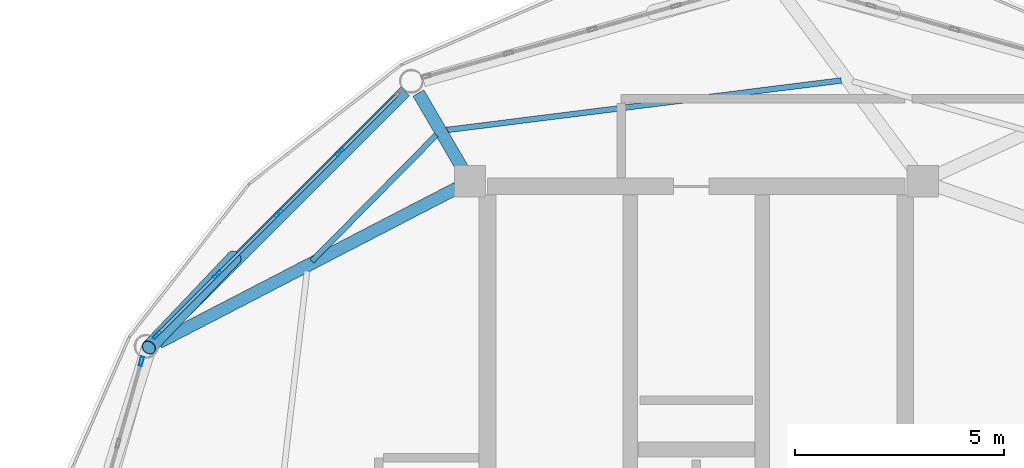
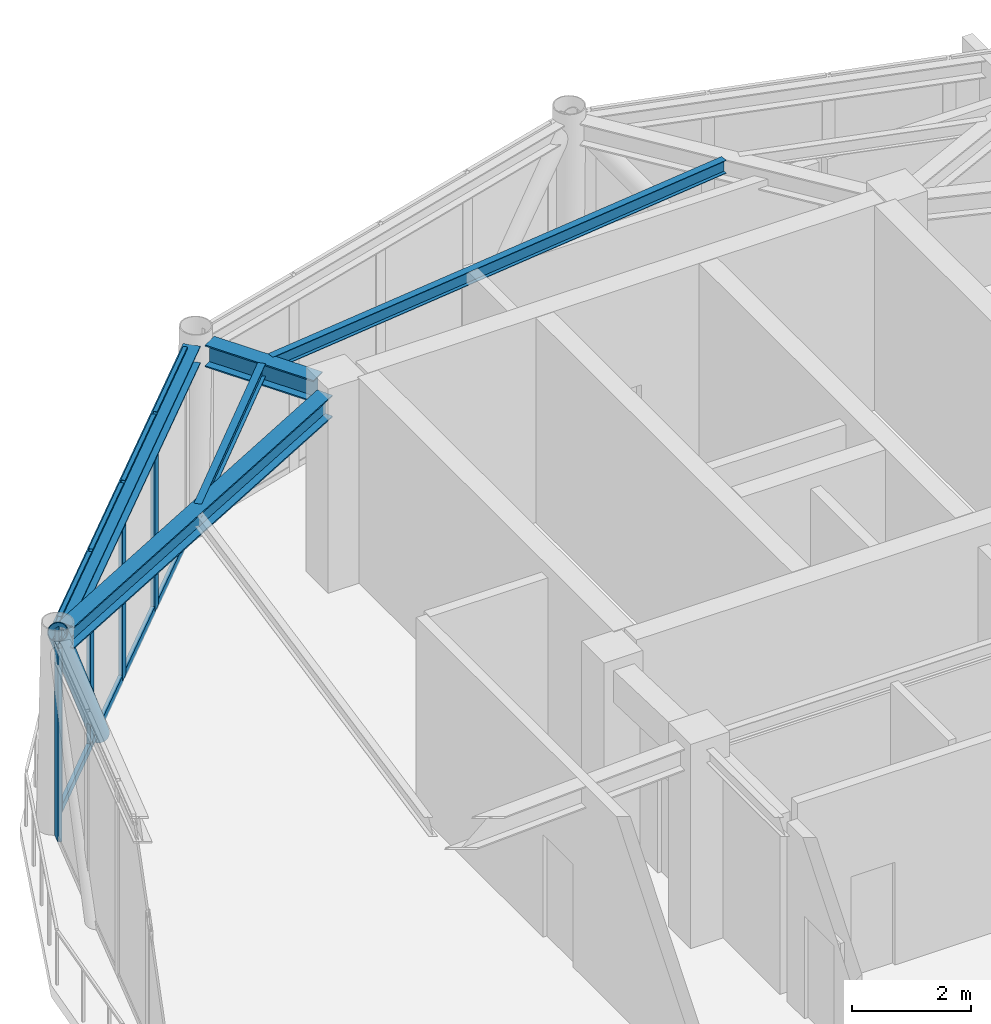
# One storey, part 9 of 20: 14 members, 5 beams, 2 elements without a shape of their own.
"""IFC4 building model written with IfcOpenShell, lengths in metres."""

import ifcopenshell
import ifcopenshell.guid

model = None  # the IFC model being written
_history = None  # IfcOwnerHistory: only IFC2X3 demands one
_inside = {}  # id of a spatial element -> (the spatial element, [elements in it])
_under = {}  # id of a project, library or spatial element -> (it, [spatial elements below it])
_declared = {}  # id of a project -> (the project, [libraries it declares])
_typed = {}  # id of a type object -> (the type object, [elements of that type])
_made_of = {}  # id of a material, layer set ... -> (it, [elements and type objects made of it])


def new_model(schema):
    """Start an empty IFC model of exactly this schema.

    Asked for "IFC4X3", IfcOpenShell would pick the latest addendum, in which some entities
    have other attributes; the version numbers below select the first issue.
    IFC2X3 requires an IfcOwnerHistory on every rooted entity: one is made here for all.
    """
    global model, _history
    if schema == "IFC4X3":
        model = ifcopenshell.file(schema_version=(4, 3, 0, 0))
    else:
        model = ifcopenshell.file(schema=schema)
    _inside.clear()
    _under.clear()
    _declared.clear()
    _typed.clear()
    _made_of.clear()
    _history = None
    if model.schema == "IFC2X3":
        org = make("IfcOrganization", Name="unknown")
        user = make(
            "IfcPersonAndOrganization",
            ThePerson=make("IfcPerson", FamilyName="unknown"),
            TheOrganization=org,
        )
        app = make(
            "IfcApplication",
            ApplicationDeveloper=org,
            Version="unknown",
            ApplicationFullName="unknown",
            ApplicationIdentifier="unknown",
        )
        _history = make(
            "IfcOwnerHistory",
            OwningUser=user,
            OwningApplication=app,
            ChangeAction="ADDED",
            CreationDate=0,
        )
    return model


def make(cls, **values):
    """One entity of the class cls with the attributes given. An attribute that is None is left unset."""
    return model.create_entity(
        cls, **{name: value for name, value in values.items() if value is not None}
    )


def rooted(cls, **values):
    """An entity with a GlobalId (a new one), such as an element, a storey or a relation."""
    return make(cls, GlobalId=ifcopenshell.guid.new(), OwnerHistory=_history, **values)


def si_unit(unit_type, name, prefix=None):
    """IfcSIUnit, for example si_unit("LENGTHUNIT", "METRE", prefix="MILLI")."""
    return make("IfcSIUnit", UnitType=unit_type, Prefix=prefix, Name=name)


def assignment(units):
    """IfcUnitAssignment: the units of a project."""
    return None if units is None else make("IfcUnitAssignment", Units=units)


def point(xyz):
    """IfcCartesianPoint."""
    return None if xyz is None else make("IfcCartesianPoint", Coordinates=xyz)


def direction(xyz):
    """IfcDirection."""
    return None if xyz is None else make("IfcDirection", DirectionRatios=xyz)


def frame(location, z_axis=None, x_axis=None):
    """IfcAxis2Placement3D, a coordinate frame: its origin and axes. An axis left out is left unset."""
    return make(
        "IfcAxis2Placement3D",
        Location=point(location),
        Axis=direction(z_axis),
        RefDirection=direction(x_axis),
    )


def frame_2d(location, x_axis=None):
    """IfcAxis2Placement2D, a coordinate frame in the plane: its origin and x axis."""
    return make(
        "IfcAxis2Placement2D", Location=point(location), RefDirection=direction(x_axis)
    )


def origin():
    """The frame at (0, 0, 0) with its axes left unset."""
    return frame((0.0, 0.0, 0.0))


def origin_2d():
    """The frame at (0, 0) in the plane with its x axis left unset."""
    return frame_2d((0.0, 0.0))


def place(relative_to, where):
    """IfcLocalPlacement: puts the frame where relative to a parent placement (None: the world)."""
    return make(
        "IfcLocalPlacement", PlacementRelTo=relative_to, RelativePlacement=where
    )


def context(
    kind, dimensions, precision=None, world=None, true_north=None, identifier=None
):
    """IfcGeometricRepresentationContext, for example the 3D "Model" context."""
    return make(
        "IfcGeometricRepresentationContext",
        ContextIdentifier=identifier,
        ContextType=kind,
        CoordinateSpaceDimension=dimensions,
        Precision=precision,
        WorldCoordinateSystem=world,
        TrueNorth=true_north,
    )


def subcontext(parent, identifier, kind, view, scale=None):
    """IfcGeometricRepresentationSubContext, for example "Body" below "Model"."""
    return make(
        "IfcGeometricRepresentationSubContext",
        ContextIdentifier=identifier,
        ContextType=kind,
        ParentContext=parent,
        TargetScale=scale,
        TargetView=view,
    )


def project(units=None, contexts=None):
    """IfcProject with its units and contexts."""
    return rooted(
        "IfcProject",
        Name="project",
        RepresentationContexts=contexts,
        UnitsInContext=assignment(units),
    )


def spatial(cls, under=None, at=None, **own):
    """A site, building, storey or space (cls), placed at a placement, below another one or the project."""
    s = rooted(cls, ObjectPlacement=at, **own)
    if under is not None:
        _under.setdefault(under.id(), (under, []))[1].append(s)
    return s


def profile(cls, at=None, kind="AREA", **sizes):
    """A parametric profile (cls). Its sizes go by their IFC names, for example OverallWidth=200.0."""
    return make(cls, ProfileType=kind, Position=at, **sizes)


def hollow_rectangle(**sizes):
    """IfcRectangleHollowProfileDef."""
    return profile("IfcRectangleHollowProfileDef", **sizes)


def hollow_circle(**sizes):
    """IfcCircleHollowProfileDef."""
    return profile("IfcCircleHollowProfileDef", **sizes)


def i_section(**sizes):
    """IfcIShapeProfileDef."""
    return profile("IfcIShapeProfileDef", **sizes)


def extrude(swept, where, along, depth):
    """IfcExtrudedAreaSolid: the profile swept, set in the frame where, extruded along a direction by depth."""
    return make(
        "IfcExtrudedAreaSolid",
        SweptArea=swept,
        Position=where,
        ExtrudedDirection=direction(along),
        Depth=depth,
    )


def shape(context_of_items, identifier, shape_type, items):
    """IfcShapeRepresentation: the items that make up one representation, for example the "Body"."""
    return make(
        "IfcShapeRepresentation",
        ContextOfItems=context_of_items,
        RepresentationIdentifier=identifier,
        RepresentationType=shape_type,
        Items=items,
    )


def material(Name=None, Category=None):
    """IfcMaterial."""
    return make("IfcMaterial", Name=Name, Category=Category)


def layer(
    of_material, thickness, ventilated=None, Name=None, Category=None, Priority=None
):
    """IfcMaterialLayer: one layer of a wall or slab, of a material (None: an air gap)."""
    return make(
        "IfcMaterialLayer",
        Material=of_material,
        LayerThickness=thickness,
        IsVentilated=ventilated,
        Name=Name,
        Category=Category,
        Priority=Priority,
    )


def layer_set(layers, Name=None):
    """IfcMaterialLayerSet."""
    return make("IfcMaterialLayerSet", MaterialLayers=layers, LayerSetName=Name)


def material_profile(
    of_material, cross_section, Name=None, Category=None, Priority=None
):
    """IfcMaterialProfile: a cross section and its material."""
    return make(
        "IfcMaterialProfile",
        Name=Name,
        Material=of_material,
        Profile=cross_section,
        Priority=Priority,
        Category=Category,
    )


def profile_set(profiles, Name=None, composite=None):
    """IfcMaterialProfileSet."""
    return make(
        "IfcMaterialProfileSet",
        Name=Name,
        MaterialProfiles=profiles,
        CompositeProfile=composite,
    )


def made_of(thing, what):
    """Note that an element or type object is made of a material, layer set ...; save() writes the relation."""
    if what is not None:
        _made_of.setdefault(what.id(), (what, []))[1].append(thing)
    return thing


def type_object(cls, material=None, **own):
    """A type object (cls), such as IfcWallType, which elements share."""
    return made_of(rooted(cls, **own), material)


def element(
    cls,
    number,
    at=None,
    inside=None,
    cuts=None,
    type_object=None,
    material=None,
    context=None,
    identifier="Body",
    shape_type=None,
    held_by="IfcProductDefinitionShape",
    body=None,
    shapes=None,
    **own,
):
    """One element of the class cls, such as IfcWall. Its Tag is "e" and its number.

    at: its placement. inside: the storey or other place that contains it. cuts: it is an
    opening in that element (IfcRelVoidsElement). A single representation is given by context,
    identifier, shape_type and body (its items); several are given by shapes. held_by: the class
    of the entity that holds the representations. save() writes the other relations.
    """
    e = rooted(cls, Tag="e%d" % number, ObjectPlacement=at, **own)
    if body is not None:
        shapes = [shape(context, identifier, shape_type, body)]
    if shapes is not None:
        e.Representation = make(held_by, Representations=shapes)
    if inside is not None:
        _inside.setdefault(inside.id(), (inside, []))[1].append(e)
    if cuts is not None:
        rooted(
            "IfcRelVoidsElement", RelatingBuildingElement=cuts, RelatedOpeningElement=e
        )
    if type_object is not None:
        _typed.setdefault(type_object.id(), (type_object, []))[1].append(e)
    return made_of(e, material)


def aggregate(whole, parts):
    """IfcRelAggregates: a whole, such as a stair, and the parts it consists of."""
    return rooted("IfcRelAggregates", RelatingObject=whole, RelatedObjects=parts)


def save(model, path):
    """Write the relations noted so far, then the file.

    IfcRelAggregates (storeys below a building ...), IfcRelContainedInSpatialStructure (elements
    in a storey), IfcRelDefinesByType, IfcRelAssociatesMaterial and IfcRelDeclares: one each for
    every whole, place, type object, material and project.
    """
    for whole, parts in _under.values():
        aggregate(whole, parts)
    for where, things in _inside.values():
        rooted(
            "IfcRelContainedInSpatialStructure",
            RelatedElements=things,
            RelatingStructure=where,
        )
    for kind, things in _typed.values():
        rooted("IfcRelDefinesByType", RelatedObjects=things, RelatingType=kind)
    for what, things in _made_of.values():
        rooted("IfcRelAssociatesMaterial", RelatedObjects=things, RelatingMaterial=what)
    for by, libraries in _declared.values():
        rooted("IfcRelDeclares", RelatingContext=by, RelatedDefinitions=libraries)
    model.write(path)


model = new_model("IFC4")

# Units and contexts
model_context = context("Model", 3, precision=1e-05, world=origin(), true_north=direction((0.0, 1.0)))
body_context = subcontext(model_context, "Body", "Model", "MODEL_VIEW")
ifc_project = project(units=[si_unit("LENGTHUNIT", "METRE"), si_unit("AREAUNIT", "SQUARE_METRE"), si_unit("VOLUMEUNIT", "CUBIC_METRE"), si_unit("PLANEANGLEUNIT", "RADIAN"), si_unit("MASSUNIT", "GRAM", prefix="KILO")], contexts=[model_context])

# Site, building, storey
site_placement = place(None, origin())
site = spatial("IfcSite", under=ifc_project, at=site_placement, CompositionType="ELEMENT")
building_placement = place(site_placement, origin())
building = spatial("IfcBuilding", under=site, at=building_placement, Name="Varnakorn Sky Granary", CompositionType="ELEMENT")
storey_placement = place(building_placement, frame((0.0, 0.0, 302.39990234375)))
storey = spatial("IfcBuildingStorey", under=building, at=storey_placement, Name="L77", CompositionType="ELEMENT", Elevation=302.39990234375)

# Beams
ifc_material_1 = material(Name="Steel S355JR", Category="steel")
ifc_material_profile_1 = material_profile(ifc_material_1, i_section(OverallWidth=0.300048828125, OverallDepth=0.449951171875, WebThickness=0.013916015625, FlangeThickness=0.02587890625, at=origin_2d()), Name="HE 450 B")
ifc_profile_set_1 = profile_set([ifc_material_profile_1], Name="Steel S355JR")
beam_type_1 = type_object("IfcBeamType", Name="BM-RAD-Z5", PredefinedType="BEAM", material=ifc_profile_set_1)
beam_1_placement = place(storey_placement, frame((-2.5986328125, 12.9267578125, 3.735107421875), z_axis=(-0.503530213694, 0.863977617706, 0.0), x_axis=(-0.863977617706, -0.503530213694, 0.0)))
element("IfcBeam", 1, at=beam_1_placement, inside=storey, type_object=beam_type_1, Name="Radial Floor Girder RG05 L77", PredefinedType="BEAM", context=body_context, shape_type="SweptSolid", body=[
    extrude(i_section(OverallWidth=0.300048828125, OverallDepth=0.449951171875, WebThickness=0.013916015625, FlangeThickness=0.02587890625, at=origin_2d()), origin(), (0.0, 0.0, 1.0), 2.093505859375),
])
beam_2_placement = place(storey_placement, frame((-2.7353515625, 12.456787109375, 3.735107421875), z_axis=(-0.888020100325, -0.459804633969, 0.0), x_axis=(0.459804633969, -0.888020100325, 0.0)))
element("IfcBeam", 2, at=beam_2_placement, inside=storey, type_object=beam_type_1, Name="Radial Floor Girder RG06 L77", PredefinedType="BEAM", context=body_context, shape_type="SweptSolid", body=[
    extrude(i_section(OverallWidth=0.300048828125, OverallDepth=0.449951171875, WebThickness=0.013916015625, FlangeThickness=0.02587890625, at=origin_2d()), origin(), (0.0, 0.0, 1.0), 8.037841796875),
])
ifc_material_profile_2 = material_profile(ifc_material_1, i_section(OverallWidth=0.135009765625, OverallDepth=0.27001953125, WebThickness=0.006591796875, FlangeThickness=0.01025390625, at=origin_2d()), Name="IPE 270")
ifc_profile_set_2 = profile_set([ifc_material_profile_2], Name="Steel S355JR")
beam_type_2 = type_object("IfcBeamType", Name="BM-SEC-Z5", PredefinedType="BEAM", material=ifc_profile_set_2)
beam_3_placement = place(storey_placement, frame((6.468994140625, 15.035888671875, 3.8251953125), z_axis=(-0.992209543581, -0.12458018152, 0.0), x_axis=(0.12458018152, -0.992209543581, 0.0)))
element("IfcBeam", 3, at=beam_3_placement, inside=storey, type_object=beam_type_2, Name="Secondary Floor Chord Beam MSB04 L77", PredefinedType="BEAM", context=body_context, shape_type="SweptSolid", body=[
    extrude(i_section(OverallWidth=0.135009765625, OverallDepth=0.27001953125, WebThickness=0.006591796875, FlangeThickness=0.01025390625, at=origin_2d()), origin(), (0.0, 0.0, 1.0), 9.530029296875),
])
beam_4_placement = place(storey_placement, frame((-3.22412109375, 13.7314453125, 3.8251953125), z_axis=(-0.702231449812, -0.711948727715, 0.0), x_axis=(0.711948727715, -0.702231449812, 0.0)))
element("IfcBeam", 4, at=beam_4_placement, inside=storey, type_object=beam_type_2, Name="Secondary Floor Chord Beam MSB05 L77", PredefinedType="BEAM", context=body_context, shape_type="SweptSolid", body=[
    extrude(i_section(OverallWidth=0.135009765625, OverallDepth=0.27001953125, WebThickness=0.006591796875, FlangeThickness=0.01025390625, at=origin_2d()), origin(), (0.0, 0.0, 1.0), 4.24609375),
])
ifc_material_profile_3 = material_profile(ifc_material_1, i_section(OverallWidth=0.300048828125, OverallDepth=0.360107421875, WebThickness=0.012451171875, FlangeThickness=0.0224609375, at=origin_2d()), Name="HE 360 B")
ifc_profile_set_3 = profile_set([ifc_material_profile_3], Name="Steel S355JR")
beam_type_3 = type_object("IfcBeamType", Name="BM-SPD-Z5", PredefinedType="SPANDREL", material=ifc_profile_set_3)
beam_5_placement = place(storey_placement, frame((-3.972900390625, 14.777099609375, 3.780029296875), z_axis=(-0.706961677093, -0.70725185551, 0.0), x_axis=(0.70725185551, -0.706961677093, 0.0)))
element("IfcBeam", 5, at=beam_5_placement, inside=storey, type_object=beam_type_3, Name="Perimeter Spandrel Ring Beam RB05 L77", PredefinedType="SPANDREL", context=body_context, shape_type="SweptSolid", body=[
    extrude(i_section(OverallWidth=0.300048828125, OverallDepth=0.360107421875, WebThickness=0.012451171875, FlangeThickness=0.0224609375, at=origin_2d()), origin(), (0.0, 0.0, 1.0), 8.41357421875),
])

# Curtain wall, members
ifc_material_2 = material(Name="Anodised Bronze Aluminium Alloy 6063-T6", Category="aluminium")
ifc_layer = layer(ifc_material_2, 0.22998046875, Name="Anodised Bronze Aluminium Alloy 6063-T6")
ifc_layer_set = layer_set([ifc_layer], Name="Anodised Bronze Aluminium Alloy 6063-T6")
curtain_wall_type = type_object("IfcCurtainWallType", Name="CW-LNT-1", PredefinedType="USERDEFINED", material=ifc_layer_set)
curtain_wall_1_placement = place(storey_placement, origin())
curtain_wall_1 = element("IfcCurtainWall", 6, at=curtain_wall_1_placement, inside=storey, type_object=curtain_wall_type, Name="Unitised Curtain Wall CW7 CW-L77-B05", ObjectType="CURTAIN WALL", PredefinedType="USERDEFINED")
ifc_material_profile_4 = material_profile(ifc_material_2, hollow_rectangle(XDim=0.074951171875, YDim=0.219970703125, WallThickness=0.00390625, at=origin_2d()), Name="ALU MULL 75x220")
ifc_profile_set_4 = profile_set([ifc_material_profile_4], Name="Anodised Bronze Aluminium Alloy 6063-T6")
member_type_1 = type_object("IfcMemberType", Name="CW-LNT-1-MULL", PredefinedType="MULLION", material=ifc_profile_set_4)
member_1_placement = place(storey_placement, frame((-9.915771484375, 8.94189453125, 0.0), z_axis=(0.0, 0.0, 1.0), x_axis=(-0.706962264777, 0.707251268066, 0.0)))
member_1 = element("IfcMember", 7, at=member_1_placement, type_object=member_type_1, Name="CW7 mullion 1", PredefinedType="MULLION", context=body_context, shape_type="SweptSolid", body=[
    extrude(hollow_rectangle(XDim=0.074951171875, YDim=0.219970703125, WallThickness=0.00390625, at=origin_2d()), origin(), (0.0, 0.0, 1.0), 3.960205078125),
])
member_2_placement = place(storey_placement, frame((-8.47412109375, 10.38330078125, 0.0), z_axis=(0.0, 0.0, 1.0), x_axis=(-0.706962264777, 0.707251268066, 0.0)))
member_2 = element("IfcMember", 8, at=member_2_placement, type_object=member_type_1, Name="CW7 mullion 2", PredefinedType="MULLION", context=body_context, shape_type="SweptSolid", body=[
    extrude(hollow_rectangle(XDim=0.074951171875, YDim=0.219970703125, WallThickness=0.00390625, at=origin_2d()), origin(), (0.0, 0.0, 1.0), 3.960205078125),
])
member_3_placement = place(storey_placement, frame((-7.005859375, 11.850830078125, 0.0), z_axis=(0.0, 0.0, 1.0), x_axis=(-0.706962264777, 0.707251268066, 0.0)))
member_3 = element("IfcMember", 9, at=member_3_placement, type_object=member_type_1, Name="CW7 mullion 3", PredefinedType="MULLION", context=body_context, shape_type="SweptSolid", body=[
    extrude(hollow_rectangle(XDim=0.074951171875, YDim=0.219970703125, WallThickness=0.00390625, at=origin_2d()), origin(), (0.0, 0.0, 1.0), 3.960205078125),
])
member_4_placement = place(storey_placement, frame((-5.537353515625, 13.318603515625, 0.0), z_axis=(0.0, 0.0, 1.0), x_axis=(-0.706962264777, 0.707251268066, 0.0)))
member_4 = element("IfcMember", 10, at=member_4_placement, type_object=member_type_1, Name="CW7 mullion 4", PredefinedType="MULLION", context=body_context, shape_type="SweptSolid", body=[
    extrude(hollow_rectangle(XDim=0.074951171875, YDim=0.219970703125, WallThickness=0.00390625, at=origin_2d()), origin(), (0.0, 0.0, 1.0), 3.960205078125),
])

# Curtain wall, member
curtain_wall_2_placement = place(storey_placement, origin())
curtain_wall_2 = element("IfcCurtainWall", 11, at=curtain_wall_2_placement, inside=storey, type_object=curtain_wall_type, Name="Unitised Curtain Wall CW7 CW-L77-B06", ObjectType="CURTAIN WALL", PredefinedType="USERDEFINED")
member_5_placement = place(storey_placement, frame((-10.285400390625, 8.312744140625, 0.0), z_axis=(0.0, 0.0, 1.0), x_axis=(-0.962053878188, 0.272859552634, 0.0)))
member_5 = element("IfcMember", 12, at=member_5_placement, type_object=member_type_1, Name="CW7 mullion 5", PredefinedType="MULLION", context=body_context, shape_type="SweptSolid", body=[
    extrude(hollow_rectangle(XDim=0.074951171875, YDim=0.219970703125, WallThickness=0.00390625, at=origin_2d()), origin(), (0.0, 0.0, 1.0), 3.960205078125),
])
aggregate(curtain_wall_2, [member_5])

# Member
ifc_material_profile_5 = material_profile(ifc_material_2, hollow_rectangle(XDim=0.074951171875, YDim=0.159912109375, WallThickness=0.00390625, at=origin_2d()), Name="ALU TRAN 75x160")
ifc_profile_set_5 = profile_set([ifc_material_profile_5], Name="Anodised Bronze Aluminium Alloy 6063-T6")
member_type_2 = type_object("IfcMemberType", Name="CW-LNT-1-TRAN", PredefinedType="USERDEFINED", material=ifc_profile_set_5)
member_6_placement = place(storey_placement, frame((-9.889404296875, 8.968505859375, 0.03759765625), z_axis=(0.707293246289, 0.7069202669, 0.0), x_axis=(-0.7069202669, 0.707293246289, 0.0)))
member_6 = element("IfcMember", 13, at=member_6_placement, type_object=member_type_2, Name="CW7 transom 1.1", ObjectType="TRANSOM", PredefinedType="USERDEFINED", context=body_context, shape_type="SweptSolid", body=[
    extrude(hollow_rectangle(XDim=0.074951171875, YDim=0.159912109375, WallThickness=0.00390625, at=origin_2d()), origin(), (0.0, 0.0, 1.0), 1.963623046875),
])

member_7_placement = place(storey_placement, frame((-9.889404296875, 8.968505859375, 3.922607421875), z_axis=(0.707293246289, 0.7069202669, 0.0), x_axis=(-0.7069202669, 0.707293246289, 0.0)))
member_7 = element("IfcMember", 14, at=member_7_placement, type_object=member_type_2, Name="CW7 transom 1.2", ObjectType="TRANSOM", PredefinedType="USERDEFINED", context=body_context, shape_type="SweptSolid", body=[
    extrude(hollow_rectangle(XDim=0.074951171875, YDim=0.159912109375, WallThickness=0.00390625, at=origin_2d()), origin(), (0.0, 0.0, 1.0), 1.963623046875),
])

member_8_placement = place(storey_placement, frame((-8.447509765625, 10.40966796875, 0.03759765625), z_axis=(0.70722876976, 0.706984771564, 0.0), x_axis=(-0.706984771564, 0.70722876976, 0.0)))
member_8 = element("IfcMember", 15, at=member_8_placement, type_object=member_type_2, Name="CW7 transom 2.1", ObjectType="TRANSOM", PredefinedType="USERDEFINED", context=body_context, shape_type="SweptSolid", body=[
    extrude(hollow_rectangle(XDim=0.074951171875, YDim=0.159912109375, WallThickness=0.00390625, at=origin_2d()), origin(), (0.0, 0.0, 1.0), 2.001220703125),
])

member_9_placement = place(storey_placement, frame((-8.447509765625, 10.40966796875, 3.922607421875), z_axis=(0.70722876976, 0.706984771564, 0.0), x_axis=(-0.706984771564, 0.70722876976, 0.0)))
member_9 = element("IfcMember", 16, at=member_9_placement, type_object=member_type_2, Name="CW7 transom 2.2", ObjectType="TRANSOM", PredefinedType="USERDEFINED", context=body_context, shape_type="SweptSolid", body=[
    extrude(hollow_rectangle(XDim=0.074951171875, YDim=0.159912109375, WallThickness=0.00390625, at=origin_2d()), origin(), (0.0, 0.0, 1.0), 2.001220703125),
])

member_10_placement = place(storey_placement, frame((-6.979248046875, 11.87744140625, 0.03759765625), z_axis=(0.70722876976, 0.706984771564, 0.0), x_axis=(-0.706984771564, 0.70722876976, 0.0)))
member_10 = element("IfcMember", 17, at=member_10_placement, type_object=member_type_2, Name="CW7 transom 3.1", ObjectType="TRANSOM", PredefinedType="USERDEFINED", context=body_context, shape_type="SweptSolid", body=[
    extrude(hollow_rectangle(XDim=0.074951171875, YDim=0.159912109375, WallThickness=0.00390625, at=origin_2d()), origin(), (0.0, 0.0, 1.0), 2.001220703125),
])

member_11_placement = place(storey_placement, frame((-6.979248046875, 11.87744140625, 3.922607421875), z_axis=(0.70722876976, 0.706984771564, 0.0), x_axis=(-0.706984771564, 0.70722876976, 0.0)))
member_11 = element("IfcMember", 18, at=member_11_placement, type_object=member_type_2, Name="CW7 transom 3.2", ObjectType="TRANSOM", PredefinedType="USERDEFINED", context=body_context, shape_type="SweptSolid", body=[
    extrude(hollow_rectangle(XDim=0.074951171875, YDim=0.159912109375, WallThickness=0.00390625, at=origin_2d()), origin(), (0.0, 0.0, 1.0), 2.001220703125),
])

member_12_placement = place(storey_placement, frame((-5.510986328125, 13.34521484375, 0.03759765625), z_axis=(0.707293246289, 0.7069202669, 0.0), x_axis=(-0.7069202669, 0.707293246289, 0.0)))
member_12 = element("IfcMember", 19, at=member_12_placement, type_object=member_type_2, Name="CW7 transom 4.1", ObjectType="TRANSOM", PredefinedType="USERDEFINED", context=body_context, shape_type="SweptSolid", body=[
    extrude(hollow_rectangle(XDim=0.074951171875, YDim=0.159912109375, WallThickness=0.00390625, at=origin_2d()), origin(), (0.0, 0.0, 1.0), 1.963623046875),
])

member_13_placement = place(storey_placement, frame((-5.510986328125, 13.34521484375, 3.922607421875), z_axis=(0.707293246289, 0.7069202669, 0.0), x_axis=(-0.7069202669, 0.707293246289, 0.0)))
member_13 = element("IfcMember", 20, at=member_13_placement, type_object=member_type_2, Name="CW7 transom 4.2", ObjectType="TRANSOM", PredefinedType="USERDEFINED", context=body_context, shape_type="SweptSolid", body=[
    extrude(hollow_rectangle(XDim=0.074951171875, YDim=0.159912109375, WallThickness=0.00390625, at=origin_2d()), origin(), (0.0, 0.0, 1.0), 1.963623046875),
])

aggregate(curtain_wall_1, [member_1, member_2, member_3, member_4, member_6, member_7, member_8, member_9, member_10, member_11, member_12, member_13])

ifc_material_3 = material(Name="Steel S460M", Category="steel")
ifc_material_profile_6 = material_profile(ifc_material_3, hollow_circle(Radius=0.177734375, WallThickness=0.01416015625, at=origin_2d()), Name="CHS 355.6x14")
ifc_profile_set_6 = profile_set([ifc_material_profile_6], Name="Steel S460M")
member_type_3 = type_object("IfcMemberType", Name="MB-DIAG-T5", PredefinedType="BRACE", material=ifc_profile_set_6)
member_14_placement = place(storey_placement, frame((-8.064697265625, 10.79248046875, -0.1298828125), z_axis=(-0.40430521085, -0.426044647447, 0.809335069586), x_axis=(0.725371024441, -0.688358102227, 0.0)))
element("IfcMember", 21, at=member_14_placement, inside=storey, type_object=member_type_3, Name="Perimeter CHS Diagrid Brace DG05 L77", PredefinedType="BRACE", context=body_context, shape_type="SweptSolid", body=[
    extrude(hollow_circle(Radius=0.177734375, WallThickness=0.01416015625, at=origin_2d()), origin(), (0.0, 0.0, 1.0), 5.0537109375),
])

save(model, "model.ifc")
